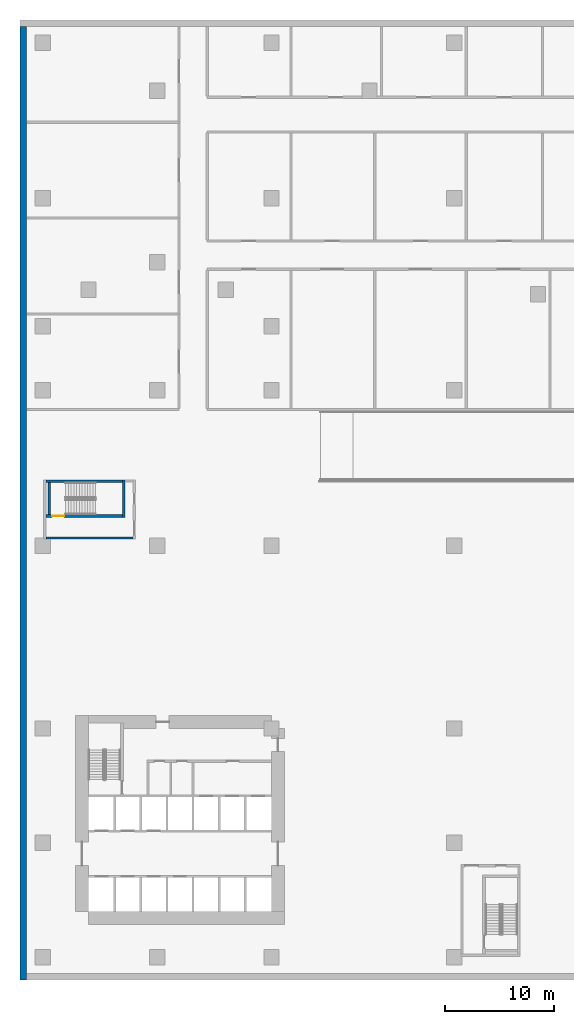
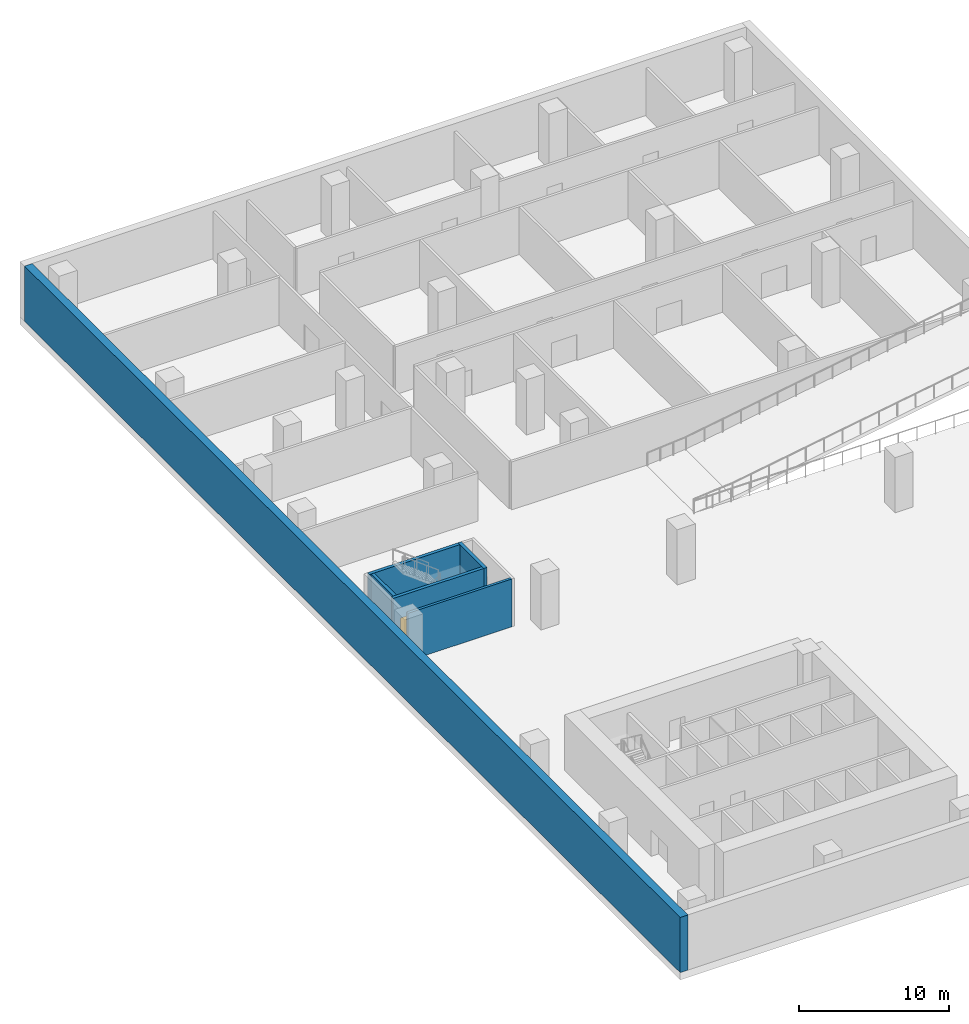
# One storey, part 5 of 12: 6 walls, 1 door, 1 opening.
"""IFC4 building model written with IfcOpenShell, lengths in metres."""

from ifc_helpers import new_model, si_unit, direction, frame, frame_2d, origin, place, context, subcontext, project, spatial, rectangle, extrude, source, transform, mapped, material, layer, layer_set, type_object, element, fill, save


model = new_model("IFC4")

# Units and contexts
model_context = context("Model", 3, precision=1e-05, world=origin(), true_north=direction((0.0, 1.0)))
body_context = subcontext(model_context, "Body", "Model", "MODEL_VIEW")
ifc_project = project(units=[si_unit("LENGTHUNIT", "METRE"), si_unit("AREAUNIT", "SQUARE_METRE"), si_unit("VOLUMEUNIT", "CUBIC_METRE"), si_unit("PLANEANGLEUNIT", "RADIAN"), si_unit("MASSUNIT", "GRAM", prefix="KILO")], contexts=[model_context])

# Site, building, storey
site_placement = place(None, origin())
site = spatial("IfcSite", under=ifc_project, at=site_placement, CompositionType="ELEMENT")
building_placement = place(site_placement, origin())
building = spatial("IfcBuilding", under=site, at=building_placement, Name="Aurelian Terraces", CompositionType="ELEMENT")
storey_placement = place(building_placement, frame((0.0, 0.0, -9.0)))
storey = spatial("IfcBuildingStorey", under=building, at=storey_placement, Name="B2", CompositionType="ELEMENT", Elevation=-9.0)

# Wall
ifc_material_1 = material(Name="Concrete fc' 40 MPa", Category="concrete")
ifc_layer_1 = layer(ifc_material_1, 0.6)
ifc_layer_set_1 = layer_set([ifc_layer_1], Name="BASEMENT WALL 600 FC40")
wall_type_1 = type_object("IfcWallType", Name="BASEMENT WALL 600 FC40", PredefinedType="SOLIDWALL", material=ifc_layer_set_1)
shared_shape_1 = source(origin(), body_context, "Body", "SweptSolid", [
    extrude(rectangle(XDim=87.6, YDim=0.6, at=frame_2d((43.8, 0.0))), origin(), (0.0, 0.0, 1.0), 4.5),
])
wall_1_placement = place(storey_placement, frame((-1.8, 85.5, 0.0), z_axis=(0.0, 0.0, 1.0), x_axis=(0.0, -1.0, 0.0)))
element("IfcWall", 1, at=wall_1_placement, inside=storey, type_object=wall_type_1, Name="Basement wall 3 B2", PredefinedType="SOLIDWALL", context=body_context, shape_type="MappedRepresentation", body=[
    mapped(shared_shape_1, transform((0.0, 0.0, 0.0), scale=1.0)),
])

# Wall, opening, door
ifc_layer_2 = layer(ifc_material_1, 0.25)
ifc_layer_set_2 = layer_set([ifc_layer_2], Name="Stair enclosure wall 250")
wall_type_2 = type_object("IfcWallType", Name="Stair enclosure wall 250", PredefinedType="SOLIDWALL", material=ifc_layer_set_2)
shared_shape_2 = source(origin(), body_context, "Body", "SweptSolid", [
    extrude(rectangle(XDim=7.0, YDim=0.25, at=frame_2d((3.5, 0.0))), origin(), (0.0, 0.0, 1.0), 3.9),
])
wall_2_placement = place(storey_placement, frame((0.3, 40.525, 0.0), z_axis=(0.0, 0.0, 1.0), x_axis=(1.0, 0.0, 0.0)))
wall_2 = element("IfcWall", 2, at=wall_2_placement, inside=storey, type_object=wall_type_2, Name="B2 core wall ST-S3-W", PredefinedType="SOLIDWALL", context=body_context, shape_type="MappedRepresentation", body=[
    mapped(shared_shape_2, transform((0.0, 0.0, 0.0), scale=1.0)),
])
shared_shape_3 = source(origin(), body_context, "Body", "SweptSolid", [
    extrude(rectangle(XDim=1.1, YDim=2.1, at=frame_2d((0.55, 1.05))), frame((0.0, 0.135, 0.0), z_axis=(0.0, -1.0, 0.0), x_axis=(1.0, 0.0, 0.0)), (0.0, 0.0, 1.0), 0.27),
])
opening_placement = place(wall_2_placement, frame((0.55, 0.0, 0.0)))
opening = element("IfcOpeningElement", 3, at=opening_placement, cuts=wall_2, Name="Opening 60117", PredefinedType="OPENING", context=body_context, shape_type="MappedRepresentation", body=[
    mapped(shared_shape_3, transform((0.0, 0.0, 0.0), scale=1.0)),
])
ifc_material_2 = material(Name="Steel door leaf", Category="steel")
door_type = type_object("IfcDoorType", Name="Core fire door 1100x2100", OperationType="SINGLE_SWING_LEFT", PredefinedType="DOOR", material=ifc_material_2)
shared_shape_4 = source(origin(), body_context, "Body", "SweptSolid", [
    extrude(rectangle(XDim=1.1, YDim=2.1, at=frame_2d((0.55, 1.05))), frame((0.0, 0.025, 0.0), z_axis=(0.0, -1.0, 0.0), x_axis=(1.0, 0.0, 0.0)), (0.0, 0.0, 1.0), 0.05),
])
door_placement = place(opening_placement, origin())
door = element("IfcDoor", 4, at=door_placement, inside=storey, type_object=door_type, Name="Stair door 60117", OperationType="SINGLE_SWING_LEFT", OverallHeight=2.1, OverallWidth=1.1, PredefinedType="DOOR", context=body_context, shape_type="MappedRepresentation", body=[
    mapped(shared_shape_4, transform((0.0, 0.0, 0.0), scale=1.0)),
])
fill(opening, door)

# Walls
wall_3_placement = place(storey_placement, frame((0.3, 43.725, 0.0), z_axis=(0.0, 0.0, 1.0), x_axis=(1.0, 0.0, 0.0)))
element("IfcWall", 5, at=wall_3_placement, inside=storey, type_object=wall_type_2, Name="B2 core wall ST-S3-E", PredefinedType="SOLIDWALL", context=body_context, shape_type="MappedRepresentation", body=[
    mapped(shared_shape_2, transform((0.0, 0.0, 0.0), scale=1.0)),
])
shared_shape_5 = source(origin(), body_context, "Body", "SweptSolid", [
    extrude(rectangle(XDim=3.45, YDim=0.25, at=frame_2d((1.725, 0.0))), origin(), (0.0, 0.0, 1.0), 3.9),
])
wall_4_placement = place(storey_placement, frame((7.425, 40.4, 0.0), z_axis=(0.0, 0.0, 1.0), x_axis=(0.0, 1.0, 0.0)))
element("IfcWall", 6, at=wall_4_placement, inside=storey, type_object=wall_type_2, Name="B2 core wall ST-S3-N", PredefinedType="SOLIDWALL", context=body_context, shape_type="MappedRepresentation", body=[
    mapped(shared_shape_5, transform((0.0, 0.0, 0.0), scale=1.0)),
])
shared_shape_6 = source(origin(), body_context, "Body", "SweptSolid", [
    extrude(rectangle(XDim=2.95, YDim=0.25, at=frame_2d((1.475, 0.0))), origin(), (0.0, 0.0, 1.0), 3.9),
])
wall_5_placement = place(storey_placement, frame((0.575, 40.65, 0.0), z_axis=(0.0, 0.0, 1.0), x_axis=(0.0, 1.0, 0.0)))
element("IfcWall", 7, at=wall_5_placement, inside=storey, type_object=wall_type_2, Name="B2 core wall ST-S3-SS", PredefinedType="SOLIDWALL", context=body_context, shape_type="MappedRepresentation", body=[
    mapped(shared_shape_6, transform((0.0, 0.0, 0.0), scale=1.0)),
])
ifc_material_3 = material(Name="Gypsum board on steel studs", Category="steel")
ifc_layer_3 = layer(ifc_material_3, 0.2)
ifc_layer_set_3 = layer_set([ifc_layer_3], Name="Core partition 200")
wall_type_3 = type_object("IfcWallType", Name="Core partition 200", PredefinedType="PARTITIONING", material=ifc_layer_set_3)
shared_shape_7 = source(origin(), body_context, "Body", "SweptSolid", [
    extrude(rectangle(XDim=8.0, YDim=0.2, at=frame_2d((4.0, 0.0))), origin(), (0.0, 0.0, 1.0), 3.9),
])
wall_6_placement = place(storey_placement, frame((0.3, 38.5, 0.0), z_axis=(0.0, 0.0, 1.0), x_axis=(1.0, 0.0, 0.0)))
element("IfcWall", 8, at=wall_6_placement, inside=storey, type_object=wall_type_3, Name="B2 core wall ST-S3-VW", PredefinedType="PARTITIONING", context=body_context, shape_type="MappedRepresentation", body=[
    mapped(shared_shape_7, transform((0.0, 0.0, 0.0), scale=1.0)),
])

save(model, "model.ifc")
